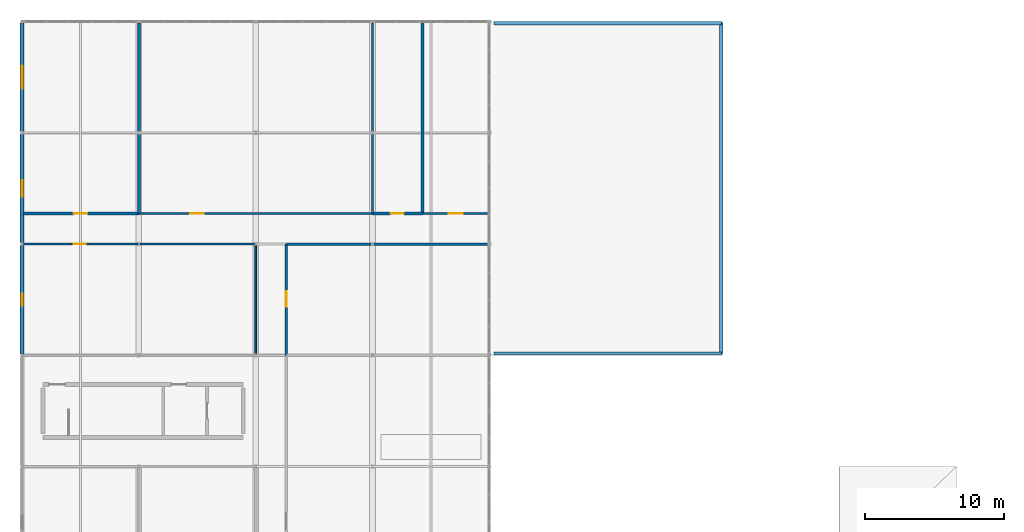
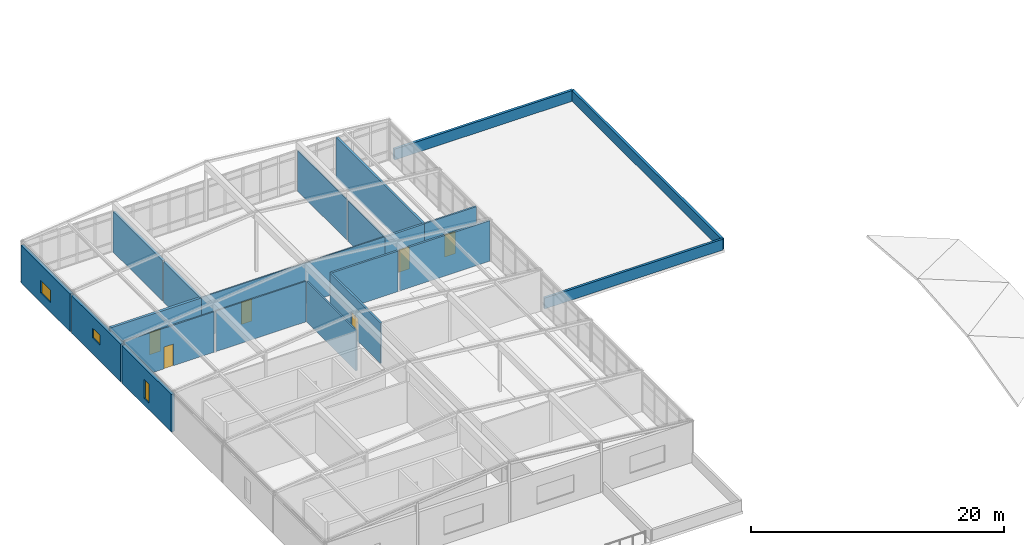
# One storey, part 19 of 25: 21 walls, 6 doors, 3 windows, 9 openings.
"""IFC4 building model written with IfcOpenShell, lengths in metres."""

from ifc_helpers import new_model, si_unit, direction, frame, frame_2d, origin, place, context, subcontext, project, spatial, rectangle, extrude, material, layer, layer_set, type_object, element, fill, save


model = new_model("IFC4")

# Units and contexts
model_context = context("Model", 3, precision=1e-05, world=origin(), true_north=direction((0.0, 1.0)))
body_context = subcontext(model_context, "Body", "Model", "MODEL_VIEW")
ifc_project = project(units=[si_unit("LENGTHUNIT", "METRE"), si_unit("AREAUNIT", "SQUARE_METRE"), si_unit("VOLUMEUNIT", "CUBIC_METRE"), si_unit("PLANEANGLEUNIT", "RADIAN"), si_unit("MASSUNIT", "GRAM", prefix="KILO")], contexts=[model_context])

# Site, building, storey
site_placement = place(None, origin())
site = spatial("IfcSite", under=ifc_project, at=site_placement, CompositionType="ELEMENT")
building_placement = place(site_placement, origin())
building = spatial("IfcBuilding", under=site, at=building_placement, Name="Kranzveld Transit Interchange", CompositionType="ELEMENT")
storey_placement = place(building_placement, frame((0.0, 0.0, 21.0400390625)))
storey = spatial("IfcBuildingStorey", under=building, at=storey_placement, Name="L05", CompositionType="ELEMENT", Elevation=21.0400390625)

# Wall, opening, window
ifc_material_1 = material(Name="Ochre Pretoria sandstone cladding, 45 MPa", Category="masonry")
ifc_layer_1 = layer(ifc_material_1, 0.300048828125)
ifc_layer_set_1 = layer_set([ifc_layer_1], Name="Ochre Pretoria sandstone cladding, 45 MPa")
wall_type_1 = type_object("IfcWallType", Name="Exterior Sandstone Spandrel Wall 300", PredefinedType="SOLIDWALL", material=ifc_layer_set_1)
wall_1_placement = place(storey_placement, frame((0.0, 88.090087890625, 0.0), z_axis=(0.0, 0.0, 1.0), x_axis=(0.0, 1.0, 0.0)))
wall_1 = element("IfcWall", 1, at=wall_1_placement, inside=storey, type_object=wall_type_1, Name="L05 Clinker Facade Wall 01/M-01/N", PredefinedType="SOLIDWALL", context=body_context, shape_type="SweptSolid", body=[
    extrude(rectangle(XDim=7.809814453125, YDim=0.300048828125, at=frame_2d((3.90478515625, 0.0))), origin(), (0.0, 0.0, 1.0), 3.619873046875),
])
opening_1_placement = place(wall_1_placement, frame((3.5048828125, 0.0, 0.64990234375), z_axis=(0.0, 0.0, 1.0), x_axis=(1.0, 0.0, 0.0)))
opening_1 = element("IfcOpeningElement", 2, at=opening_1_placement, cuts=wall_1, Name="Opening W-18", PredefinedType="OPENING", context=body_context, shape_type="SweptSolid", body=[
    extrude(rectangle(XDim=0.800048828125, YDim=1.85009765625, at=frame_2d((0.39990234375, 0.925048828125))), frame((0.0, 0.159912109375, 0.0), z_axis=(0.0, -1.0, 0.0), x_axis=(1.0, 0.0, 0.0)), (0.0, 0.0, 1.0), 0.320068359375),
])
ifc_material_2 = material(Name="Solar-control double glazing", Category="glass")
window_type_1 = type_object("IfcWindowType", Name="Window Ladder Slot 800x1850", PartitioningType="SINGLE_PANEL", PredefinedType="WINDOW", material=ifc_material_2)
window_1_placement = place(opening_1_placement, origin())
window_1 = element("IfcWindow", 3, at=window_1_placement, inside=storey, type_object=window_type_1, Name="L05 Facade Window 01/M", OverallHeight=1.85009765625, OverallWidth=0.800048828125, PartitioningType="SINGLE_PANEL", PredefinedType="WINDOW", context=body_context, shape_type="SweptSolid", body=[
    extrude(rectangle(XDim=0.800048828125, YDim=1.85009765625, at=frame_2d((0.39990234375, 0.925048828125))), frame((0.0, 0.030029296875, 0.0), z_axis=(0.0, -1.0, 0.0), x_axis=(1.0, 0.0, 0.0)), (0.0, 0.0, 1.0), 0.06005859375),
])
fill(opening_1, window_1)

wall_2_placement = place(storey_placement, frame((0.0, 96.10009765625, 0.0), z_axis=(0.0, 0.0, 1.0), x_axis=(0.0, 1.0, 0.0)))
wall_2 = element("IfcWall", 4, at=wall_2_placement, inside=storey, type_object=wall_type_1, Name="L05 Clinker Facade Wall 01/N-01/P", PredefinedType="SOLIDWALL", context=body_context, shape_type="SweptSolid", body=[
    extrude(rectangle(XDim=7.7998046875, YDim=0.300048828125, at=frame_2d((3.89990234375, 0.0))), origin(), (0.0, 0.0, 1.0), 3.619873046875),
])
opening_2_placement = place(wall_2_placement, frame((3.300048828125, 0.0, 1.550048828125), z_axis=(0.0, 0.0, 1.0), x_axis=(1.0, 0.0, 0.0)))
opening_2 = element("IfcOpeningElement", 5, at=opening_2_placement, cuts=wall_2, Name="Opening W-19", PredefinedType="OPENING", context=body_context, shape_type="SweptSolid", body=[
    extrude(rectangle(XDim=1.199951171875, YDim=0.949951171875, at=frame_2d((0.60009765625, 0.47509765625))), frame((0.0, 0.159912109375, 0.0), z_axis=(0.0, -1.0, 0.0), x_axis=(1.0, 0.0, 0.0)), (0.0, 0.0, 1.0), 0.320068359375),
])
ifc_material_3 = material(Name="Solar-control double glazing", Category="glass")
window_type_2 = type_object("IfcWindowType", Name="Window Sanitary Frosted 1200x950", PartitioningType="SINGLE_PANEL", PredefinedType="WINDOW", material=ifc_material_3)
window_2_placement = place(opening_2_placement, origin())
window_2 = element("IfcWindow", 6, at=window_2_placement, inside=storey, type_object=window_type_2, Name="L05 Facade Window 01/N", OverallHeight=0.949951171875, OverallWidth=1.199951171875, PartitioningType="SINGLE_PANEL", PredefinedType="WINDOW", context=body_context, shape_type="SweptSolid", body=[
    extrude(rectangle(XDim=1.199951171875, YDim=0.949951171875, at=frame_2d((0.60009765625, 0.47509765625))), frame((0.0, 0.030029296875, 0.0), z_axis=(0.0, -1.0, 0.0), x_axis=(1.0, 0.0, 0.0)), (0.0, 0.0, 1.0), 0.06005859375),
])
fill(opening_2, window_2)

wall_3_placement = place(storey_placement, frame((0.0, 104.10009765625, 0.0), z_axis=(0.0, 0.0, 1.0), x_axis=(0.0, 1.0, 0.0)))
wall_3 = element("IfcWall", 7, at=wall_3_placement, inside=storey, type_object=wall_type_1, Name="L05 Clinker Facade Wall 01/P-01/Q", PredefinedType="SOLIDWALL", context=body_context, shape_type="SweptSolid", body=[
    extrude(rectangle(XDim=7.7998046875, YDim=0.300048828125, at=frame_2d((3.89990234375, 0.0))), origin(), (0.0, 0.0, 1.0), 3.619873046875),
])
opening_3_placement = place(wall_3_placement, frame((3.10009765625, 0.0, 0.89990234375), z_axis=(0.0, 0.0, 1.0), x_axis=(1.0, 0.0, 0.0)))
opening_3 = element("IfcOpeningElement", 8, at=opening_3_placement, cuts=wall_3, Name="Opening W-20", PredefinedType="OPENING", context=body_context, shape_type="SweptSolid", body=[
    extrude(rectangle(XDim=1.60009765625, YDim=1.199951171875, at=frame_2d((0.800048828125, 0.60009765625))), frame((0.0, 0.159912109375, 0.0), z_axis=(0.0, -1.0, 0.0), x_axis=(1.0, 0.0, 0.0)), (0.0, 0.0, 1.0), 0.320068359375),
])
ifc_material_4 = material(Name="Solar-control double glazing", Category="glass")
window_type_3 = type_object("IfcWindowType", Name="Window Technical Glazed 1600x1200", PartitioningType="DOUBLE_PANEL_VERTICAL", PredefinedType="WINDOW", material=ifc_material_4)
window_3_placement = place(opening_3_placement, origin())
window_3 = element("IfcWindow", 9, at=window_3_placement, inside=storey, type_object=window_type_3, Name="L05 Facade Window 01/P", OverallHeight=1.199951171875, OverallWidth=1.60009765625, PartitioningType="DOUBLE_PANEL_VERTICAL", PredefinedType="WINDOW", context=body_context, shape_type="SweptSolid", body=[
    extrude(rectangle(XDim=1.60009765625, YDim=1.199951171875, at=frame_2d((0.800048828125, 0.60009765625))), frame((0.0, 0.030029296875, 0.0), z_axis=(0.0, -1.0, 0.0), x_axis=(1.0, 0.0, 0.0)), (0.0, 0.0, 1.0), 0.06005859375),
])
fill(opening_3, window_3)

# Wall, opening, door
ifc_material_5 = material(Name="Clay masonry unit wall, 20 MPa", Category="masonry")
ifc_layer_2 = layer(ifc_material_5, 0.22998046875)
ifc_layer_set_2 = layer_set([ifc_layer_2], Name="Clay masonry unit wall, 20 MPa")
wall_type_2 = type_object("IfcWallType", Name="Fire Compartment Wall Masonry 230 EI120", PredefinedType="PARTITIONING", material=ifc_layer_set_2)
wall_4_placement = place(storey_placement, frame((0.0400390625, 98.199951171875, 0.0), z_axis=(0.0, 0.0, 1.0), x_axis=(1.0, 0.0, 0.0)))
wall_4 = element("IfcWall", 10, at=wall_4_placement, inside=storey, type_object=wall_type_2, Name="L05 Partition IW-L05-L05N-FRT-506-0", PredefinedType="PARTITIONING", context=body_context, shape_type="SweptSolid", body=[
    extrude(rectangle(XDim=8.35986328125, YDim=0.22998046875, at=frame_2d((4.179931640625, 0.0))), origin(), (0.0, 0.0, 1.0), 3.919921875),
])
opening_4_placement = place(wall_4_placement, frame((3.659912109375, 0.0, 0.0), z_axis=(0.0, 0.0, 1.0), x_axis=(1.0, 0.0, 0.0)))
opening_4 = element("IfcOpeningElement", 11, at=opening_4_placement, cuts=wall_4, Name="Opening D-506", PredefinedType="OPENING", context=body_context, shape_type="SweptSolid", body=[
    extrude(rectangle(XDim=1.0, YDim=2.14990234375, at=frame_2d((0.5, 1.074951171875))), frame((0.0, 0.125, 0.0), z_axis=(0.0, -1.0, 0.0), x_axis=(1.0, 0.0, 0.0)), (0.0, 0.0, 1.0), 0.25),
])
ifc_material_6 = material(Name="Steel S355JR", Category="steel")
door_type_1 = type_object("IfcDoorType", Name="Fire Door Single 1000x2150 FD120S", OperationType="NOTDEFINED", PredefinedType="DOOR", material=ifc_material_6)
door_1_placement = place(opening_4_placement, origin())
door_1 = element("IfcDoor", 12, at=door_1_placement, inside=storey, type_object=door_type_1, Name="L05 Interior Door D-506", OperationType="SINGLE_SWING_LEFT", OverallHeight=2.14990234375, OverallWidth=1.0, PredefinedType="DOOR", context=body_context, shape_type="SweptSolid", body=[
    extrude(rectangle(XDim=1.0, YDim=2.14990234375, at=frame_2d((0.5, 1.074951171875))), frame((0.0, 0.02490234375, 0.0), z_axis=(0.0, -1.0, 0.0), x_axis=(1.0, 0.0, 0.0)), (0.0, 0.0, 1.0), 0.050048828125),
])
fill(opening_4, door_1)

# Walls
wall_5_placement = place(storey_placement, frame((8.39990234375, 98.199951171875, 0.0), z_axis=(0.0, 0.0, 1.0), x_axis=(0.0, 1.0, 0.0)))
element("IfcWall", 13, at=wall_5_placement, inside=storey, type_object=wall_type_2, Name="L05 Partition IW-L05-L05N-E-506-0", PredefinedType="PARTITIONING", context=body_context, shape_type="SweptSolid", body=[
    extrude(rectangle(XDim=5.70849609375, YDim=0.22998046875, at=frame_2d((2.854248046875, 0.0))), origin(), (0.0, 0.0, 1.0), 3.919921875),
])
wall_6_placement = place(storey_placement, frame((8.39990234375, 104.091552734375, 0.0), z_axis=(0.0, 0.0, 1.0), x_axis=(0.0, 1.0, 0.0)))
element("IfcWall", 14, at=wall_6_placement, inside=storey, type_object=wall_type_2, Name="L05 Partition IW-L05-L05N-E-506-1", PredefinedType="PARTITIONING", context=body_context, shape_type="SweptSolid", body=[
    extrude(rectangle(XDim=7.81689453125, YDim=0.22998046875, at=frame_2d((3.908447265625, 0.0))), origin(), (0.0, 0.0, 1.0), 3.919921875),
])

# Wall, opening, door
ifc_material_7 = material(Name="Clay masonry unit wall, 20 MPa", Category="masonry")
ifc_layer_3 = layer(ifc_material_7, 0.14990234375)
ifc_layer_set_3 = layer_set([ifc_layer_3], Name="Clay masonry unit wall, 20 MPa")
wall_type_3 = type_object("IfcWallType", Name="Fire Rated Partition Wall 150 EI60", PredefinedType="PARTITIONING", material=ifc_layer_set_3)
wall_7_placement = place(storey_placement, frame((28.800048828125, 98.199951171875, 0.0), z_axis=(0.0, 0.0, 1.0), x_axis=(1.0, 0.0, 0.0)))
wall_7 = element("IfcWall", 15, at=wall_7_placement, inside=storey, type_object=wall_type_3, Name="L05 Partition IW-L05-L05NWC-ADJ-511-0", PredefinedType="PARTITIONING", context=body_context, shape_type="SweptSolid", body=[
    extrude(rectangle(XDim=4.760009765625, YDim=0.14990234375, at=frame_2d((2.3798828125, 0.0))), origin(), (0.0, 0.0, 1.0), 3.919921875),
])
opening_5_placement = place(wall_7_placement, frame((1.8798828125, 0.0, 0.0), z_axis=(0.0, 0.0, 1.0), x_axis=(1.0, 0.0, 0.0)))
opening_5 = element("IfcOpeningElement", 16, at=opening_5_placement, cuts=wall_7, Name="Opening D-511", PredefinedType="OPENING", context=body_context, shape_type="SweptSolid", body=[
    extrude(rectangle(XDim=1.0, YDim=2.14990234375, at=frame_2d((0.5, 1.074951171875))), frame((0.0, 0.0849609375, 0.0), z_axis=(0.0, -1.0, 0.0), x_axis=(1.0, 0.0, 0.0)), (0.0, 0.0, 1.0), 0.169921875),
])
ifc_material_8 = material(Name="Steel S355JR", Category="steel")
door_type_2 = type_object("IfcDoorType", Name="Fire Door Single 1000x2150 FD60S", OperationType="NOTDEFINED", PredefinedType="DOOR", material=ifc_material_8)
door_2_placement = place(opening_5_placement, origin())
door_2 = element("IfcDoor", 17, at=door_2_placement, inside=storey, type_object=door_type_2, Name="L05 Interior Door D-511", OperationType="SINGLE_SWING_RIGHT", OverallHeight=2.14990234375, OverallWidth=1.0, PredefinedType="DOOR", context=body_context, shape_type="SweptSolid", body=[
    extrude(rectangle(XDim=1.0, YDim=2.14990234375, at=frame_2d((0.5, 1.074951171875))), frame((0.0, 0.02490234375, 0.0), z_axis=(0.0, -1.0, 0.0), x_axis=(1.0, 0.0, 0.0)), (0.0, 0.0, 1.0), 0.050048828125),
])
fill(opening_5, door_2)

ifc_material_9 = material(Name="Clay masonry unit wall, 20 MPa", Category="masonry")
ifc_layer_4 = layer(ifc_material_9, 0.175048828125)
ifc_layer_set_4 = layer_set([ifc_layer_4], Name="Clay masonry unit wall, 20 MPa")
wall_type_4 = type_object("IfcWallType", Name="Heavy Acoustic Masonry Wall 175", PredefinedType="PARTITIONING", material=ifc_layer_set_4)
wall_8_placement = place(storey_placement, frame((19.0, 88.0, 0.0), z_axis=(0.0, 0.0, 1.0), x_axis=(0.0, 1.0, 0.0)))
wall_8 = element("IfcWall", 18, at=wall_8_placement, inside=storey, type_object=wall_type_4, Name="L05 Partition IW-L05-L05E-FRT-509-0", PredefinedType="PARTITIONING", context=body_context, shape_type="SweptSolid", body=[
    extrude(rectangle(XDim=8.0, YDim=0.175048828125, at=frame_2d((4.0, 0.0))), origin(), (0.0, 0.0, 1.0), 3.919921875),
])
opening_6_placement = place(wall_8_placement, frame((4.60009765625, 0.0, 0.0), z_axis=(0.0, 0.0, 1.0), x_axis=(-1.0, 0.0, 0.0)))
opening_6 = element("IfcOpeningElement", 19, at=opening_6_placement, cuts=wall_8, Name="Opening D-509", PredefinedType="OPENING", context=body_context, shape_type="SweptSolid", body=[
    extrude(rectangle(XDim=1.10009765625, YDim=2.199951171875, at=frame_2d((0.550048828125, 1.10009765625))), frame((0.0, 0.097412109375, 0.0), z_axis=(0.0, -1.0, 0.0), x_axis=(1.0, 0.0, 0.0)), (0.0, 0.0, 1.0), 0.195068359375),
])
ifc_material_10 = material(Name="Bronze-anodised thermally broken aluminium", Category="aluminium")
door_type_3 = type_object("IfcDoorType", Name="Acoustic Seminar Door 1100x2200", OperationType="NOTDEFINED", PredefinedType="DOOR", material=ifc_material_10)
door_3_placement = place(opening_6_placement, origin())
door_3 = element("IfcDoor", 20, at=door_3_placement, inside=storey, type_object=door_type_3, Name="L05 Interior Door D-509", OperationType="SINGLE_SWING_LEFT", OverallHeight=2.199951171875, OverallWidth=1.10009765625, PredefinedType="DOOR", context=body_context, shape_type="SweptSolid", body=[
    extrude(rectangle(XDim=1.10009765625, YDim=2.199951171875, at=frame_2d((0.550048828125, 1.10009765625))), frame((0.0, 0.02490234375, 0.0), z_axis=(0.0, -1.0, 0.0), x_axis=(1.0, 0.0, 0.0)), (0.0, 0.0, 1.0), 0.050048828125),
])
fill(opening_6, door_3)

# Walls
wall_9_placement = place(storey_placement, frame((19.0, 96.0, 0.0), z_axis=(0.0, 0.0, 1.0), x_axis=(1.0, 0.0, 0.0)))
element("IfcWall", 21, at=wall_9_placement, inside=storey, type_object=wall_type_4, Name="L05 Partition IW-L05-L05E-N-509-0", PredefinedType="PARTITIONING", context=body_context, shape_type="SweptSolid", body=[
    extrude(rectangle(XDim=6.108154296875, YDim=0.175048828125, at=frame_2d((3.05419921875, 0.0))), origin(), (0.0, 0.0, 1.0), 3.919921875),
])
wall_10_placement = place(storey_placement, frame((25.291748046875, 96.0, 0.0), z_axis=(0.0, 0.0, 1.0), x_axis=(1.0, 0.0, 0.0)))
element("IfcWall", 22, at=wall_10_placement, inside=storey, type_object=wall_type_4, Name="L05 Partition IW-L05-L05E-N-509-1", PredefinedType="PARTITIONING", context=body_context, shape_type="SweptSolid", body=[
    extrude(rectangle(XDim=8.21826171875, YDim=0.175048828125, at=frame_2d((4.109130859375, 0.0))), origin(), (0.0, 0.0, 1.0), 3.919921875),
])

# Wall, opening, door
ifc_material_11 = material(Name="Clay masonry unit wall, 20 MPa", Category="masonry")
ifc_layer_5 = layer(ifc_material_11, 0.125)
ifc_layer_set_5 = layer_set([ifc_layer_5], Name="Clay masonry unit wall, 20 MPa")
wall_type_5 = type_object("IfcWallType", Name="Internal Blockwork Partition 125", PredefinedType="PARTITIONING", material=ifc_layer_set_5)
wall_11_placement = place(storey_placement, frame((0.090087890625, 96.0, 0.0), z_axis=(0.0, 0.0, 1.0), x_axis=(1.0, 0.0, 0.0)))
wall_11 = element("IfcWall", 23, at=wall_11_placement, inside=storey, type_object=wall_type_5, Name="L05 Partition IW-L05-L05M2-FRT-510-0", PredefinedType="PARTITIONING", context=body_context, shape_type="SweptSolid", body=[
    extrude(rectangle(XDim=8.218017578125, YDim=0.125, at=frame_2d((4.10888671875, 0.0))), origin(), (0.0, 0.0, 1.0), 3.919921875),
])
opening_7_placement = place(wall_11_placement, frame((4.489990234375, 0.0, 0.0), z_axis=(0.0, 0.0, 1.0), x_axis=(-1.0, 0.0, 0.0)))
opening_7 = element("IfcOpeningElement", 24, at=opening_7_placement, cuts=wall_11, Name="Opening D-510", PredefinedType="OPENING", context=body_context, shape_type="SweptSolid", body=[
    extrude(rectangle(XDim=0.8798828125, YDim=2.10009765625, at=frame_2d((0.43994140625, 1.050048828125))), frame((0.0, 0.072509765625, 0.0), z_axis=(0.0, -1.0, 0.0), x_axis=(1.0, 0.0, 0.0)), (0.0, 0.0, 1.0), 0.14501953125),
])
ifc_material_12 = material(Name="Bronze-anodised thermally broken aluminium", Category="aluminium")
door_type_4 = type_object("IfcDoorType", Name="Store & Utility Door 880x2100", OperationType="NOTDEFINED", PredefinedType="DOOR", material=ifc_material_12)
door_4_placement = place(opening_7_placement, origin())
door_4 = element("IfcDoor", 25, at=door_4_placement, inside=storey, type_object=door_type_4, Name="L05 Interior Door D-510", OperationType="SINGLE_SWING_LEFT", OverallHeight=2.10009765625, OverallWidth=0.8798828125, PredefinedType="DOOR", context=body_context, shape_type="SweptSolid", body=[
    extrude(rectangle(XDim=0.8798828125, YDim=2.10009765625, at=frame_2d((0.43994140625, 1.050048828125))), frame((0.0, 0.02490234375, 0.0), z_axis=(0.0, -1.0, 0.0), x_axis=(1.0, 0.0, 0.0)), (0.0, 0.0, 1.0), 0.050048828125),
])
fill(opening_7, door_4)

# Walls
wall_12_placement = place(storey_placement, frame((8.49169921875, 96.0, 0.0), z_axis=(0.0, 0.0, 1.0), x_axis=(1.0, 0.0, 0.0)))
element("IfcWall", 26, at=wall_12_placement, inside=storey, type_object=wall_type_5, Name="L05 Partition IW-L05-L05M2-FRT-510-1", PredefinedType="PARTITIONING", context=body_context, shape_type="SweptSolid", body=[
    extrude(rectangle(XDim=8.216552734375, YDim=0.125, at=frame_2d((4.1083984375, 0.0))), origin(), (0.0, 0.0, 1.0), 3.919921875),
])
wall_13_placement = place(storey_placement, frame((16.800048828125, 88.091552734375, 0.0), z_axis=(0.0, 0.0, 1.0), x_axis=(0.0, 1.0, 0.0)))
element("IfcWall", 27, at=wall_13_placement, inside=storey, type_object=wall_type_5, Name="L05 Partition IW-L05-L05M2-E-510-0", PredefinedType="PARTITIONING", context=body_context, shape_type="SweptSolid", body=[
    extrude(rectangle(XDim=7.81689453125, YDim=0.125, at=frame_2d((3.908447265625, 0.0))), origin(), (0.0, 0.0, 1.0), 3.919921875),
])

# Wall, opening, door
ifc_material_13 = material(Name="Clay masonry unit wall, 20 MPa", Category="masonry")
ifc_layer_6 = layer(ifc_material_13, 0.114990234375)
ifc_layer_set_6 = layer_set([ifc_layer_6], Name="Clay masonry unit wall, 20 MPa")
wall_type_6 = type_object("IfcWallType", Name="Internal Masonry Partition 115", PredefinedType="PARTITIONING", material=ifc_layer_set_6)
wall_14_placement = place(storey_placement, frame((8.39990234375, 98.199951171875, 0.0), z_axis=(0.0, 0.0, 1.0), x_axis=(1.0, 0.0, 0.0)))
wall_14 = element("IfcWall", 28, at=wall_14_placement, inside=storey, type_object=wall_type_6, Name="L05 Partition IW-L05-L05N-FRT-507-0", PredefinedType="PARTITIONING", context=body_context, shape_type="SweptSolid", body=[
    extrude(rectangle(XDim=16.800048828125, YDim=0.114990234375, at=frame_2d((8.39990234375, 0.0))), origin(), (0.0, 0.0, 1.0), 3.919921875),
])
opening_8_placement = place(wall_14_placement, frame((3.699951171875, 0.0, 0.0), z_axis=(0.0, 0.0, 1.0), x_axis=(1.0, 0.0, 0.0)))
opening_8 = element("IfcOpeningElement", 29, at=opening_8_placement, cuts=wall_14, Name="Opening D-507", PredefinedType="OPENING", context=body_context, shape_type="SweptSolid", body=[
    extrude(rectangle(XDim=0.97998046875, YDim=2.14990234375, at=frame_2d((0.489990234375, 1.074951171875))), frame((0.0, 0.0673828125, 0.0), z_axis=(0.0, -1.0, 0.0), x_axis=(1.0, 0.0, 0.0)), (0.0, 0.0, 1.0), 0.135009765625),
])
ifc_material_14 = material(Name="Bronze-anodised thermally broken aluminium", Category="aluminium")
door_type_5 = type_object("IfcDoorType", Name="Retail Back-of-House Door 980x2150", OperationType="NOTDEFINED", PredefinedType="DOOR", material=ifc_material_14)
door_5_placement = place(opening_8_placement, origin())
door_5 = element("IfcDoor", 30, at=door_5_placement, inside=storey, type_object=door_type_5, Name="L05 Interior Door D-507", OperationType="SINGLE_SWING_RIGHT", OverallHeight=2.14990234375, OverallWidth=0.97998046875, PredefinedType="DOOR", context=body_context, shape_type="SweptSolid", body=[
    extrude(rectangle(XDim=0.97998046875, YDim=2.14990234375, at=frame_2d((0.489990234375, 1.074951171875))), frame((0.0, 0.02490234375, 0.0), z_axis=(0.0, -1.0, 0.0), x_axis=(1.0, 0.0, 0.0)), (0.0, 0.0, 1.0), 0.050048828125),
])
fill(opening_8, door_5)

# Walls
wall_15_placement = place(storey_placement, frame((25.199951171875, 98.199951171875, 0.0), z_axis=(0.0, 0.0, 1.0), x_axis=(0.0, 1.0, 0.0)))
element("IfcWall", 31, at=wall_15_placement, inside=storey, type_object=wall_type_6, Name="L05 Partition IW-L05-L05N-E-507-0", PredefinedType="PARTITIONING", context=body_context, shape_type="SweptSolid", body=[
    extrude(rectangle(XDim=5.70849609375, YDim=0.114990234375, at=frame_2d((2.854248046875, 0.0))), origin(), (0.0, 0.0, 1.0), 3.919921875),
])
wall_16_placement = place(storey_placement, frame((25.199951171875, 104.091552734375, 0.0), z_axis=(0.0, 0.0, 1.0), x_axis=(0.0, 1.0, 0.0)))
element("IfcWall", 32, at=wall_16_placement, inside=storey, type_object=wall_type_6, Name="L05 Partition IW-L05-L05N-E-507-1", PredefinedType="PARTITIONING", context=body_context, shape_type="SweptSolid", body=[
    extrude(rectangle(XDim=7.81689453125, YDim=0.114990234375, at=frame_2d((3.908447265625, 0.0))), origin(), (0.0, 0.0, 1.0), 3.919921875),
])
ifc_material_15 = material(Name="Pretoria red-purple clinker clay face brick, 35 MPa", Category="masonry")
ifc_layer_7 = layer(ifc_material_15, 0.22998046875)
ifc_layer_set_7 = layer_set([ifc_layer_7], Name="Pretoria red-purple clinker clay face brick, 35 MPa")
wall_type_7 = type_object("IfcWallType", Name="Roof Parapet Wall Clinker Brick 230", PredefinedType="PARAPET", material=ifc_layer_set_7)
wall_17_placement = place(storey_placement, frame((50.280029296875, 111.8798828125, 0.0), z_axis=(0.0, 0.0, 1.0), x_axis=(0.0, -1.0, 0.0)))
element("IfcWall", 33, at=wall_17_placement, inside=storey, type_object=wall_type_7, Name="L05 Roof Parapet 048", PredefinedType="PARAPET", context=body_context, shape_type="SweptSolid", body=[
    extrude(rectangle(XDim=23.759765625, YDim=0.22998046875, at=frame_2d((11.8798828125, 0.0))), origin(), (0.0, 0.0, 1.0), 1.050048828125),
])
wall_18_placement = place(storey_placement, frame((33.949951171875, 111.8798828125, 0.0), z_axis=(0.0, 0.0, 1.0), x_axis=(1.0, 0.0, 0.0)))
element("IfcWall", 34, at=wall_18_placement, inside=storey, type_object=wall_type_7, Name="L05 Roof Parapet 050", PredefinedType="PARAPET", context=body_context, shape_type="SweptSolid", body=[
    extrude(rectangle(XDim=16.330078125, YDim=0.22998046875, at=frame_2d((8.1650390625, 0.0))), origin(), (0.0, 0.0, 1.0), 1.050048828125),
])

# Wall, opening, door
ifc_material_16 = material(Name="Clay masonry unit wall, 20 MPa", Category="masonry")
ifc_layer_8 = layer(ifc_material_16, 0.18994140625)
ifc_layer_set_8 = layer_set([ifc_layer_8], Name="Clay masonry unit wall, 20 MPa")
wall_type_8 = type_object("IfcWallType", Name="Sanitary Plumbing Wall 190", PredefinedType="PLUMBINGWALL", material=ifc_layer_set_8)
wall_19_placement = place(storey_placement, frame((25.199951171875, 98.199951171875, 0.0), z_axis=(0.0, 0.0, 1.0), x_axis=(1.0, 0.0, 0.0)))
wall_19 = element("IfcWall", 35, at=wall_19_placement, inside=storey, type_object=wall_type_8, Name="L05 Partition IW-L05-L05NWC-WC-508-0", PredefinedType="PLUMBINGWALL", context=body_context, shape_type="SweptSolid", body=[
    extrude(rectangle(XDim=3.60009765625, YDim=0.18994140625, at=frame_2d((1.800048828125, 0.0))), origin(), (0.0, 0.0, 1.0), 3.919921875),
])
opening_9_placement = place(wall_19_placement, frame((1.300048828125, 0.0, 0.0), z_axis=(0.0, 0.0, 1.0), x_axis=(1.0, 0.0, 0.0)))
opening_9 = element("IfcOpeningElement", 36, at=opening_9_placement, cuts=wall_19, Name="Opening D-508", PredefinedType="OPENING", context=body_context, shape_type="SweptSolid", body=[
    extrude(rectangle(XDim=0.949951171875, YDim=2.14990234375, at=frame_2d((0.47509765625, 1.074951171875))), frame((0.0, 0.10498046875, 0.0), z_axis=(0.0, -1.0, 0.0), x_axis=(1.0, 0.0, 0.0)), (0.0, 0.0, 1.0), 0.2099609375),
])
ifc_material_17 = material(Name="Bronze-anodised thermally broken aluminium", Category="aluminium")
door_type_6 = type_object("IfcDoorType", Name="Accessible WC Door 950x2150", OperationType="NOTDEFINED", PredefinedType="DOOR", material=ifc_material_17)
door_6_placement = place(opening_9_placement, origin())
door_6 = element("IfcDoor", 37, at=door_6_placement, inside=storey, type_object=door_type_6, Name="L05 Interior Door D-508", OperationType="SINGLE_SWING_LEFT", OverallHeight=2.14990234375, OverallWidth=0.949951171875, PredefinedType="DOOR", context=body_context, shape_type="SweptSolid", body=[
    extrude(rectangle(XDim=0.949951171875, YDim=2.14990234375, at=frame_2d((0.47509765625, 1.074951171875))), frame((0.0, 0.02490234375, 0.0), z_axis=(0.0, -1.0, 0.0), x_axis=(1.0, 0.0, 0.0)), (0.0, 0.0, 1.0), 0.050048828125),
])
fill(opening_9, door_6)

# Walls
wall_20_placement = place(storey_placement, frame((28.800048828125, 98.199951171875, 0.0), z_axis=(0.0, 0.0, 1.0), x_axis=(0.0, 1.0, 0.0)))
element("IfcWall", 38, at=wall_20_placement, inside=storey, type_object=wall_type_8, Name="L05 Partition IW-L05-L05NWC-MID-508-0", PredefinedType="PLUMBINGWALL", context=body_context, shape_type="SweptSolid", body=[
    extrude(rectangle(XDim=13.760009765625, YDim=0.18994140625, at=frame_2d((6.8798828125, 0.0))), origin(), (0.0, 0.0, 1.0), 3.919921875),
])
ifc_material_18 = material(Name="Dark Pretoria clinker clay plinth brick, 40 MPa", Category="masonry")
ifc_layer_9 = layer(ifc_material_18, 0.215087890625)
ifc_layer_set_9 = layer_set([ifc_layer_9], Name="Dark Pretoria clinker clay plinth brick, 40 MPa")
wall_type_9 = type_object("IfcWallType", Name="Terrace Parapet Upstand Brick 215", PredefinedType="PARAPET", material=ifc_layer_set_9)
wall_21_placement = place(storey_placement, frame((50.280029296875, 88.1201171875, 0.0), z_axis=(0.0, 0.0, 1.0), x_axis=(-1.0, 0.0, 0.0)))
element("IfcWall", 39, at=wall_21_placement, inside=storey, type_object=wall_type_9, Name="L05 Roof Parapet 049", PredefinedType="PARAPET", context=body_context, shape_type="SweptSolid", body=[
    extrude(rectangle(XDim=16.330078125, YDim=0.215087890625, at=frame_2d((8.1650390625, 0.0))), origin(), (0.0, 0.0, 1.0), 1.050048828125),
])

save(model, "model.ifc")
